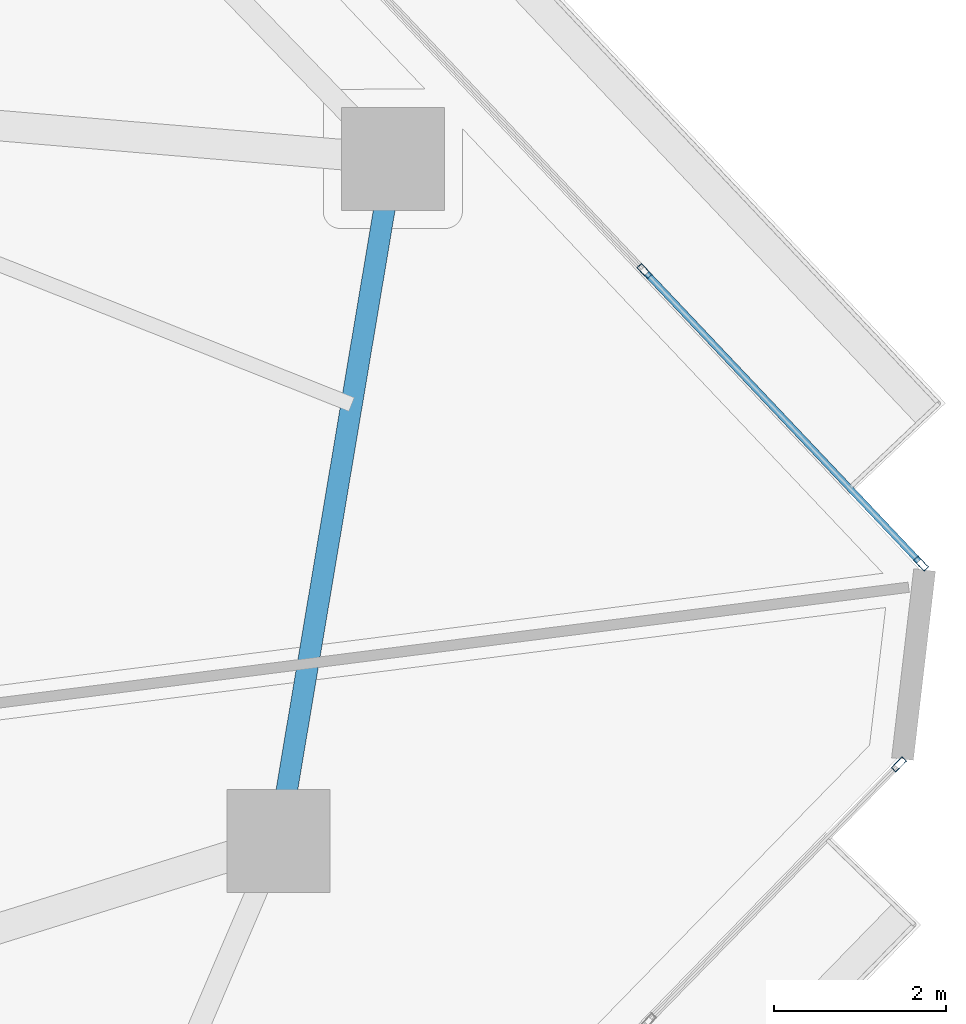
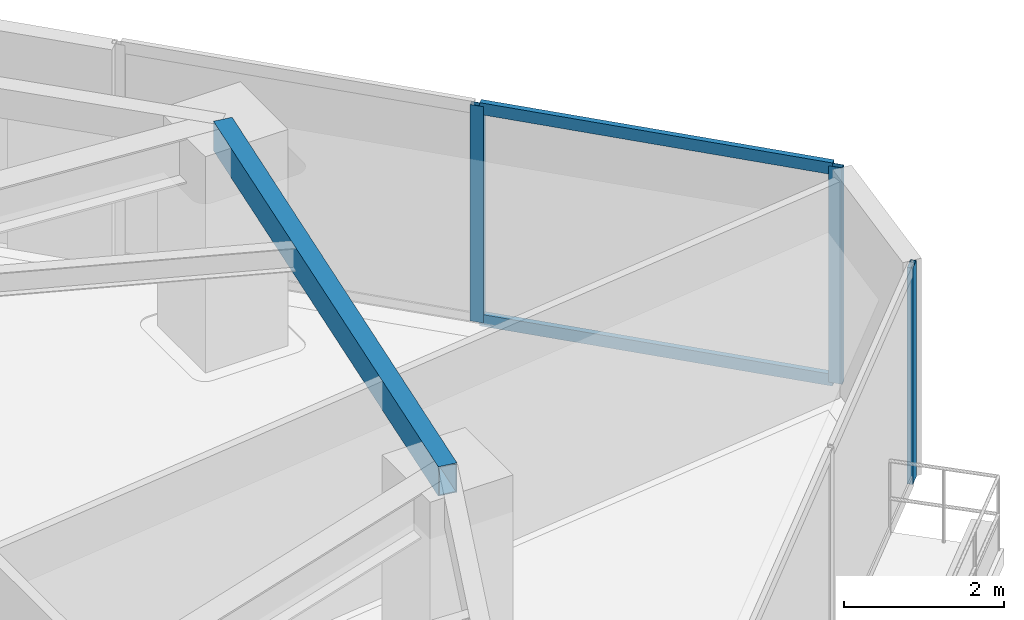
# One storey, part 13 of 23: 5 members, 1 beam, 2 elements without a shape of their own.
"""IFC4 building model written with IfcOpenShell, lengths in metres."""

from ifc_helpers import new_model, si_unit, direction, frame, origin, origin_2d, place, context, subcontext, project, spatial, hollow_rectangle, extrude, source, transform, mapped, material, layer, layer_set, material_profile, profile_set, type_object, type_shapes, element, aggregate, save


model = new_model("IFC4")

# Units and contexts
model_context = context("Model", 3, precision=1e-05, world=origin(), true_north=direction((0.0, 1.0)))
body_context = subcontext(model_context, "Body", "Model", "MODEL_VIEW")
ifc_project = project(units=[si_unit("LENGTHUNIT", "METRE"), si_unit("AREAUNIT", "SQUARE_METRE"), si_unit("VOLUMEUNIT", "CUBIC_METRE"), si_unit("PLANEANGLEUNIT", "RADIAN"), si_unit("MASSUNIT", "GRAM", prefix="KILO")], contexts=[model_context])

# Site, building, storey
site_placement = place(None, origin())
site = spatial("IfcSite", under=ifc_project, at=site_placement, CompositionType="ELEMENT")
building_placement = place(site_placement, origin())
building = spatial("IfcBuilding", under=site, at=building_placement, Name="Talar Marvaseh", CompositionType="ELEMENT")
storey_placement = place(building_placement, frame((0.0, 0.0, 96.60009765625)))
storey = spatial("IfcBuildingStorey", under=building, at=storey_placement, Name="L24", CompositionType="ELEMENT", Elevation=96.60009765625)

# Beam
ifc_material_1 = material(Name="Steel S355", Category="steel")
ifc_material_profile_1 = material_profile(ifc_material_1, hollow_rectangle(XDim=0.25, YDim=0.449951171875, WallThickness=0.01611328125, at=origin_2d()), Name="RHS450x250x16")
ifc_profile_set_1 = profile_set([ifc_material_profile_1], Name="Steel S355")
beam_type = type_object("IfcBeamType", Name="Zone 2 Perimeter Spandrel Beam RHS450x250x16", PredefinedType="SPANDREL", material=ifc_profile_set_1)
beam_placement = place(storey_placement, frame((43.0439453125, 36.075927734375, 3.0849609375), z_axis=(-0.165641685249, -0.986186002795, 0.0), x_axis=(0.986186002795, -0.165641685249, 0.0)))
element("IfcBeam", 1, at=beam_placement, inside=storey, type_object=beam_type, Name="L24 Zone 2 Perimeter Spandrel Beam RHS450x250x16", PredefinedType="SPANDREL", context=body_context, shape_type="SweptSolid", body=[
    extrude(hollow_rectangle(XDim=0.25, YDim=0.449951171875, WallThickness=0.01611328125, at=origin_2d()), origin(), (0.0, 0.0, 1.0), 8.059326171875),
])

# Curtain wall, members
ifc_material_2 = material(Name="Architectural Aluminium", Category="aluminium")
ifc_layer = layer(ifc_material_2, 0.199951171875)
ifc_layer_set = layer_set([ifc_layer], Name="Architectural Aluminium")
curtain_wall_type = type_object("IfcCurtainWallType", Name="Unitised Acoustic Library Curtain Wall Z2", PredefinedType="NOTDEFINED", material=ifc_layer_set)
curtain_wall_1_placement = place(storey_placement, origin())
curtain_wall_1 = element("IfcCurtainWall", 2, at=curtain_wall_1_placement, inside=storey, type_object=curtain_wall_type, Name="L24 Unitised Acoustic Library Curtain Wall Z2", PredefinedType="NOTDEFINED")
ifc_material_profile_2 = material_profile(ifc_material_2, hollow_rectangle(XDim=0.074951171875, YDim=0.179931640625, WallThickness=0.0048828125, at=origin_2d()), Name="RHS180x75x5")
ifc_profile_set_2 = profile_set([ifc_material_profile_2], Name="Architectural Aluminium")
member_type_1 = type_object("IfcMemberType", Name="Unitised Curtain Wall Standard Mullion RHS180x75x5", PredefinedType="MULLION", material=ifc_profile_set_2)
shared_shape_1 = source(origin(), body_context, "Body", "SweptSolid", [
    extrude(hollow_rectangle(XDim=0.074951171875, YDim=0.179931640625, WallThickness=0.0048828125, at=origin_2d()), origin(), (0.0, 0.0, 1.0), 3.309814453125),
])
type_shapes(member_type_1, [shared_shape_1])
member_1_placement = place(storey_placement, frame((45.9755859375, 34.768798828125, 0.0), z_axis=(0.0, 0.0, 1.0), x_axis=(0.726530202595, 0.687134531746, 0.0)))
member_1 = element("IfcMember", 3, at=member_1_placement, type_object=member_type_1, Name="CW-Z2 mullion 2", PredefinedType="MULLION", context=body_context, shape_type="MappedRepresentation", body=[
    mapped(shared_shape_1, transform((0.0, 0.0, 0.0), x_axis=(1.0, 0.0, 0.0), y_axis=(0.0, 1.0, 0.0), z_axis=(0.0, 0.0, 1.0), scale=1.0)),
])
member_2_placement = place(storey_placement, frame((49.1982421875, 31.361328125, 0.0), z_axis=(0.0, 0.0, 1.0), x_axis=(0.726530202595, 0.687134531746, 0.0)))
member_2 = element("IfcMember", 4, at=member_2_placement, type_object=member_type_1, Name="CW-Z2 mullion 3", PredefinedType="MULLION", context=body_context, shape_type="MappedRepresentation", body=[
    mapped(shared_shape_1, transform((0.0, 0.0, 0.0), x_axis=(1.0, 0.0, 0.0), y_axis=(0.0, 1.0, 0.0), z_axis=(0.0, 0.0, 1.0), scale=1.0)),
])

# Curtain wall, member
curtain_wall_2_placement = place(storey_placement, origin())
curtain_wall_2 = element("IfcCurtainWall", 5, at=curtain_wall_2_placement, inside=storey, type_object=curtain_wall_type, Name="L24 Unitised Acoustic Library Curtain Wall Z2", PredefinedType="NOTDEFINED")
member_3_placement = place(storey_placement, frame((48.939697265625, 29.0224609375, 0.0), z_axis=(0.0, 0.0, 1.0), x_axis=(0.716198424478, -0.697896709245, 0.0)))
member_3 = element("IfcMember", 6, at=member_3_placement, type_object=member_type_1, Name="CW-Z2 mullion 1", PredefinedType="MULLION", context=body_context, shape_type="MappedRepresentation", body=[
    mapped(shared_shape_1, transform((0.0, 0.0, 0.0), x_axis=(1.0, 0.0, 0.0), y_axis=(0.0, 1.0, 0.0), z_axis=(0.0, 0.0, 1.0), scale=1.0)),
])
aggregate(curtain_wall_2, [member_3])

# Member
ifc_material_profile_3 = material_profile(ifc_material_2, hollow_rectangle(XDim=0.074951171875, YDim=0.179931640625, WallThickness=0.0048828125, at=origin_2d()), Name="RHS180x75x5")
ifc_profile_set_3 = profile_set([ifc_material_profile_3], Name="Architectural Aluminium")
member_type_2 = type_object("IfcMemberType", Name="Unitised Curtain Wall Transom RHS180x75x5", PredefinedType="USERDEFINED", material=ifc_profile_set_3)
shared_shape_2 = source(origin(), body_context, "Body", "SweptSolid", [
    extrude(hollow_rectangle(XDim=0.074951171875, YDim=0.179931640625, WallThickness=0.0048828125, at=origin_2d()), origin(), (0.0, 0.0, 1.0), 4.615234375),
])
type_shapes(member_type_2, [shared_shape_2])
member_4_placement = place(storey_placement, frame((46.001220703125, 34.741455078125, 0.037353515625), z_axis=(0.687154580686, -0.726511240273, 0.0), x_axis=(0.726511240273, 0.687154580686, 0.0)))
member_4 = element("IfcMember", 7, at=member_4_placement, type_object=member_type_2, Name="CW-Z2 transom 2.1", ObjectType="TRANSOM", PredefinedType="USERDEFINED", context=body_context, shape_type="MappedRepresentation", body=[
    mapped(shared_shape_2, transform((0.0, 0.0, 0.0), x_axis=(1.0, 0.0, 0.0), y_axis=(0.0, 1.0, 0.0), z_axis=(0.0, 0.0, 1.0), scale=1.0)),
])

member_5_placement = place(storey_placement, frame((46.001220703125, 34.741455078125, 3.2724609375), z_axis=(0.687154580686, -0.726511240273, 0.0), x_axis=(0.726511240273, 0.687154580686, 0.0)))
member_5 = element("IfcMember", 8, at=member_5_placement, type_object=member_type_2, Name="CW-Z2 transom 2.2", ObjectType="TRANSOM", PredefinedType="USERDEFINED", context=body_context, shape_type="MappedRepresentation", body=[
    mapped(shared_shape_2, transform((0.0, 0.0, 0.0), x_axis=(1.0, 0.0, 0.0), y_axis=(0.0, 1.0, 0.0), z_axis=(0.0, 0.0, 1.0), scale=1.0)),
])

aggregate(curtain_wall_1, [member_1, member_2, member_4, member_5])

save(model, "model.ifc")
